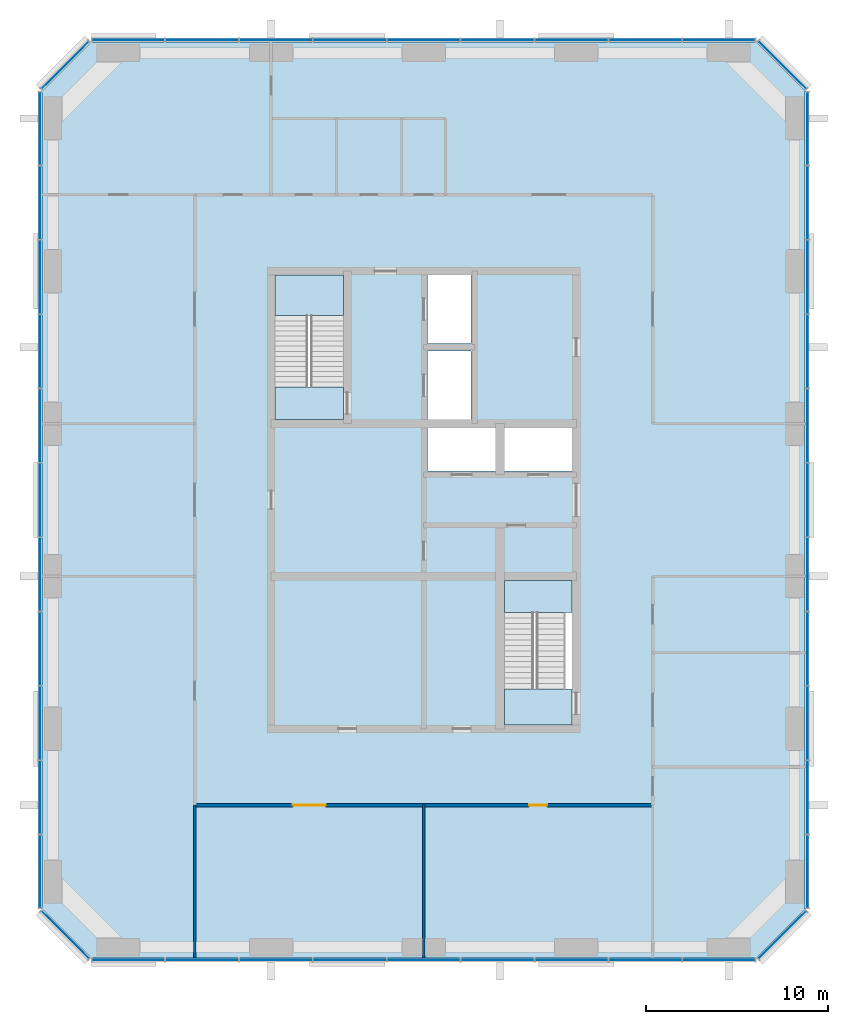
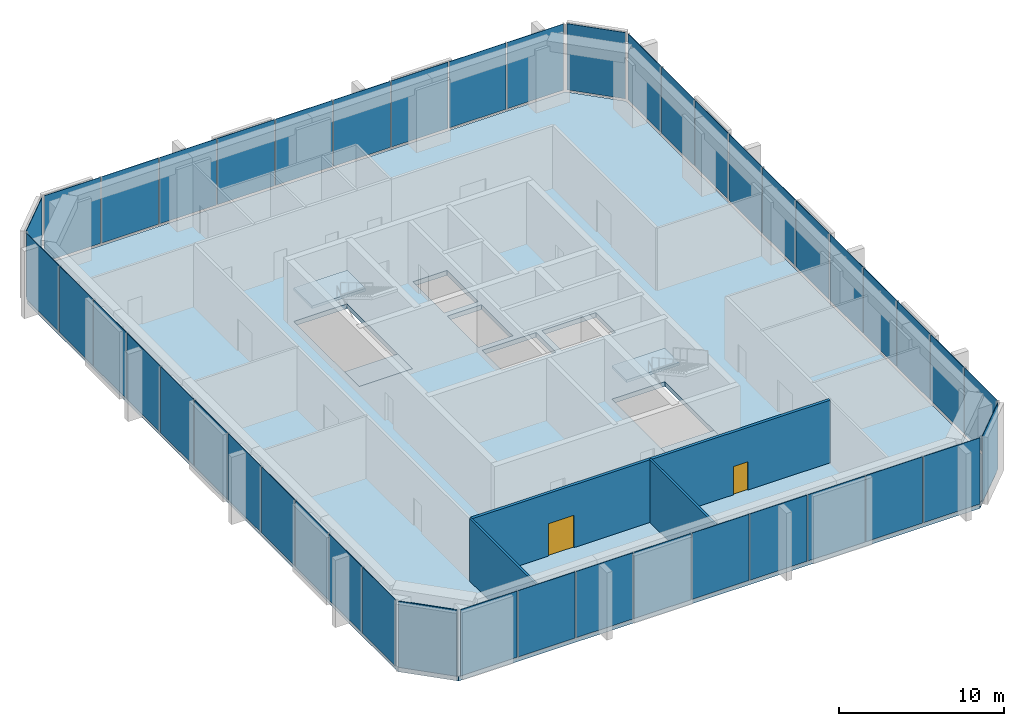
# One storey, part 6 of 9: 44 plates, 5 slabs, 3 walls, 2 doors, 2 openings, 10 elements without a shape of their own.
"""IFC4 building model written with IfcOpenShell, lengths in metres."""

from ifc_helpers import new_model, si_unit, direction, frame, frame_2d, origin, origin_2d, place, context, subcontext, project, spatial, polyline, rectangle, outline, extrude, material, layer, layer_set, type_object, element, fill, aggregate, save


model = new_model("IFC4")

# Units and contexts
model_context = context("Model", 3, precision=1e-05, world=origin(), true_north=direction((0.0, 1.0)))
body_context = subcontext(model_context, "Body", "Model", "MODEL_VIEW")
ifc_project = project(units=[si_unit("LENGTHUNIT", "METRE"), si_unit("AREAUNIT", "SQUARE_METRE"), si_unit("VOLUMEUNIT", "CUBIC_METRE"), si_unit("PLANEANGLEUNIT", "RADIAN"), si_unit("MASSUNIT", "GRAM", prefix="KILO")], contexts=[model_context])

# Site, building, storey
site_placement = place(None, origin())
site = spatial("IfcSite", under=ifc_project, at=site_placement, CompositionType="ELEMENT")
building_placement = place(site_placement, origin())
building = spatial("IfcBuilding", under=site, at=building_placement, Name="Dunama Terrace Hotel", CompositionType="ELEMENT")
storey_placement = place(building_placement, frame((0.0, 0.0, 284.10009765625)))
storey = spatial("IfcBuildingStorey", under=building, at=storey_placement, Name="L73", CompositionType="ELEMENT", Elevation=284.10009765625)

# Curtain wall, plates
ifc_material_1 = material(Name="Aluminium curtain wall system", Category="aluminium")
curtain_wall_type = type_object("IfcCurtainWallType", Name="Unitised fritted glass wall CW-D", PredefinedType="NOTDEFINED", material=ifc_material_1)
curtain_wall_1_placement = place(storey_placement, origin())
curtain_wall_1 = element("IfcCurtainWall", 1, at=curtain_wall_1_placement, inside=storey, type_object=curtain_wall_type, Name="Unitised fritted glass wall CW-D L73", PredefinedType="NOTDEFINED")
ifc_material_2 = material(Name="Laminated glass", Category="glass")
ifc_layer_1 = layer(ifc_material_2, 0.035888671875)
ifc_layer_set_1 = layer_set([ifc_layer_1], Name="CWD clear glass panel")
plate_type_1 = type_object("IfcPlateType", Name="CWD clear glass panel", PredefinedType="CURTAIN_PANEL", material=ifc_layer_set_1)
plate_1_placement = place(storey_placement, frame((21.39990234375, 4.080078125, 0.0849609375), z_axis=(0.0, 0.0, 1.0), x_axis=(1.0, 0.0, 0.0)))
plate_1 = element("IfcPlate", 2, at=plate_1_placement, type_object=plate_type_1, Name="CWD clear glass panel", PredefinedType="CURTAIN_PANEL", context=body_context, shape_type="SweptSolid", body=[
    extrude(rectangle(XDim=3.99658203125, YDim=0.035888671875, at=origin_2d()), origin(), (0.0, 0.0, 1.0), 4.9150390625),
])
plate_2_placement = place(storey_placement, frame((33.60009765625, 4.080078125, 0.0849609375), z_axis=(0.0, 0.0, 1.0), x_axis=(1.0, 0.0, 0.0)))
plate_2 = element("IfcPlate", 3, at=plate_2_placement, type_object=plate_type_1, Name="CWD clear glass panel", PredefinedType="CURTAIN_PANEL", context=body_context, shape_type="SweptSolid", body=[
    extrude(rectangle(XDim=3.99658203125, YDim=0.035888671875, at=origin_2d()), origin(), (0.0, 0.0, 1.0), 4.9150390625),
])
plate_3_placement = place(storey_placement, frame((45.800048828125, 4.080078125, 0.0849609375), z_axis=(0.0, 0.0, 1.0), x_axis=(1.0, 0.0, 0.0)))
plate_3 = element("IfcPlate", 4, at=plate_3_placement, type_object=plate_type_1, Name="CWD clear glass panel", PredefinedType="CURTAIN_PANEL", context=body_context, shape_type="SweptSolid", body=[
    extrude(rectangle(XDim=3.99658203125, YDim=0.035888671875, at=origin_2d()), origin(), (0.0, 0.0, 1.0), 4.9150390625),
])

curtain_wall_2_placement = place(storey_placement, origin())
curtain_wall_2 = element("IfcCurtainWall", 5, at=curtain_wall_2_placement, inside=storey, type_object=curtain_wall_type, Name="Unitised fritted glass wall CW-D L73", PredefinedType="NOTDEFINED")
plate_4_placement = place(storey_placement, frame((54.719970703125, 8.962890625, 0.0849609375), z_axis=(0.0, 0.0, 1.0), x_axis=(0.0, 1.0, 0.0)))
plate_4 = element("IfcPlate", 6, at=plate_4_placement, type_object=plate_type_1, Name="CWD clear glass panel", PredefinedType="CURTAIN_PANEL", context=body_context, shape_type="SweptSolid", body=[
    extrude(rectangle(XDim=3.98583984375, YDim=0.035888671875, at=origin_2d()), origin(), (0.0, 0.0, 1.0), 4.9150390625),
])
plate_5_placement = place(storey_placement, frame((54.719970703125, 21.218017578125, 0.0849609375), z_axis=(0.0, 0.0, 1.0), x_axis=(0.0, 1.0, 0.0)))
plate_5 = element("IfcPlate", 7, at=plate_5_placement, type_object=plate_type_1, Name="CWD clear glass panel", PredefinedType="CURTAIN_PANEL", context=body_context, shape_type="SweptSolid", body=[
    extrude(rectangle(XDim=4.02099609375, YDim=0.035888671875, at=origin_2d()), origin(), (0.0, 0.0, 1.0), 4.9150390625),
])
plate_6_placement = place(storey_placement, frame((54.719970703125, 33.490966796875, 0.0849609375), z_axis=(0.0, 0.0, 1.0), x_axis=(0.0, 1.0, 0.0)))
plate_6 = element("IfcPlate", 8, at=plate_6_placement, type_object=plate_type_1, Name="CWD clear glass panel", PredefinedType="CURTAIN_PANEL", context=body_context, shape_type="SweptSolid", body=[
    extrude(rectangle(XDim=4.02099609375, YDim=0.035888671875, at=origin_2d()), origin(), (0.0, 0.0, 1.0), 4.9150390625),
])
plate_7_placement = place(storey_placement, frame((54.719970703125, 45.763916015625, 0.0849609375), z_axis=(0.0, 0.0, 1.0), x_axis=(0.0, 1.0, 0.0)))
plate_7 = element("IfcPlate", 9, at=plate_7_placement, type_object=plate_type_1, Name="CWD clear glass panel", PredefinedType="CURTAIN_PANEL", context=body_context, shape_type="SweptSolid", body=[
    extrude(rectangle(XDim=4.02099609375, YDim=0.035888671875, at=origin_2d()), origin(), (0.0, 0.0, 1.0), 4.9150390625),
])

curtain_wall_3_placement = place(storey_placement, origin())
curtain_wall_3 = element("IfcCurtainWall", 10, at=curtain_wall_3_placement, inside=storey, type_object=curtain_wall_type, Name="Unitised fritted glass wall CW-D L73", PredefinedType="NOTDEFINED")
plate_8_placement = place(storey_placement, frame((49.84912109375, 54.719970703125, 0.0849609375), z_axis=(0.0, 0.0, 1.0), x_axis=(-1.0, 0.0, 0.0)))
plate_8 = element("IfcPlate", 11, at=plate_8_placement, type_object=plate_type_1, Name="CWD clear glass panel", PredefinedType="CURTAIN_PANEL", context=body_context, shape_type="SweptSolid", body=[
    extrude(rectangle(XDim=3.961669921875, YDim=0.035888671875, at=origin_2d()), origin(), (0.0, 0.0, 1.0), 4.9150390625),
])
plate_9_placement = place(storey_placement, frame((37.6669921875, 54.719970703125, 0.0849609375), z_axis=(0.0, 0.0, 1.0), x_axis=(-1.0, 0.0, 0.0)))
plate_9 = element("IfcPlate", 12, at=plate_9_placement, type_object=plate_type_1, Name="CWD clear glass panel", PredefinedType="CURTAIN_PANEL", context=body_context, shape_type="SweptSolid", body=[
    extrude(rectangle(XDim=3.99658203125, YDim=0.035888671875, at=origin_2d()), origin(), (0.0, 0.0, 1.0), 4.9150390625),
])
plate_10_placement = place(storey_placement, frame((25.467041015625, 54.719970703125, 0.0849609375), z_axis=(0.0, 0.0, 1.0), x_axis=(-1.0, 0.0, 0.0)))
plate_10 = element("IfcPlate", 13, at=plate_10_placement, type_object=plate_type_1, Name="CWD clear glass panel", PredefinedType="CURTAIN_PANEL", context=body_context, shape_type="SweptSolid", body=[
    extrude(rectangle(XDim=3.99658203125, YDim=0.035888671875, at=origin_2d()), origin(), (0.0, 0.0, 1.0), 4.9150390625),
])

# Curtain wall, plate
curtain_wall_4_placement = place(storey_placement, origin())
curtain_wall_4 = element("IfcCurtainWall", 14, at=curtain_wall_4_placement, inside=storey, type_object=curtain_wall_type, Name="Unitised fritted glass wall CW-D L73", PredefinedType="NOTDEFINED")
plate_11_placement = place(storey_placement, frame((13.864990234375, 53.3349609375, 0.0849609375), z_axis=(0.0, 0.0, 1.0), x_axis=(-0.707106781187, -0.707106781187, 0.0)))
plate_11 = element("IfcPlate", 15, at=plate_11_placement, type_object=plate_type_1, Name="CWD clear glass panel", PredefinedType="CURTAIN_PANEL", context=body_context, shape_type="SweptSolid", body=[
    extrude(rectangle(XDim=3.678466796875, YDim=0.035888671875, at=origin_2d()), origin(), (0.0, 0.0, 1.0), 4.9150390625),
])
aggregate(curtain_wall_4, [plate_11])

# Curtain wall, plates
curtain_wall_5_placement = place(storey_placement, origin())
curtain_wall_5 = element("IfcCurtainWall", 16, at=curtain_wall_5_placement, inside=storey, type_object=curtain_wall_type, Name="Unitised fritted glass wall CW-D L73", PredefinedType="NOTDEFINED")
plate_12_placement = place(storey_placement, frame((12.47998046875, 41.673095703125, 0.0849609375), z_axis=(0.0, 0.0, 1.0), x_axis=(0.0, -1.0, 0.0)))
plate_12 = element("IfcPlate", 17, at=plate_12_placement, type_object=plate_type_1, Name="CWD clear glass panel", PredefinedType="CURTAIN_PANEL", context=body_context, shape_type="SweptSolid", body=[
    extrude(rectangle(XDim=4.02099609375, YDim=0.035888671875, at=origin_2d()), origin(), (0.0, 0.0, 1.0), 4.9150390625),
])
plate_13_placement = place(storey_placement, frame((12.47998046875, 29.39990234375, 0.0849609375), z_axis=(0.0, 0.0, 1.0), x_axis=(0.0, -1.0, 0.0)))
plate_13 = element("IfcPlate", 18, at=plate_13_placement, type_object=plate_type_1, Name="CWD clear glass panel", PredefinedType="CURTAIN_PANEL", context=body_context, shape_type="SweptSolid", body=[
    extrude(rectangle(XDim=4.02099609375, YDim=0.035888671875, at=origin_2d()), origin(), (0.0, 0.0, 1.0), 4.9150390625),
])
plate_14_placement = place(storey_placement, frame((12.47998046875, 17.126953125, 0.0849609375), z_axis=(0.0, 0.0, 1.0), x_axis=(0.0, -1.0, 0.0)))
plate_14 = element("IfcPlate", 19, at=plate_14_placement, type_object=plate_type_1, Name="CWD clear glass panel", PredefinedType="CURTAIN_PANEL", context=body_context, shape_type="SweptSolid", body=[
    extrude(rectangle(XDim=4.02099609375, YDim=0.035888671875, at=origin_2d()), origin(), (0.0, 0.0, 1.0), 4.9150390625),
])

# Curtain wall, plate
curtain_wall_6_placement = place(storey_placement, origin())
curtain_wall_6 = element("IfcCurtainWall", 20, at=curtain_wall_6_placement, inside=storey, type_object=curtain_wall_type, Name="Unitised fritted glass wall CW-D L73", PredefinedType="NOTDEFINED")
plate_15_placement = place(storey_placement, frame((13.864990234375, 5.465087890625, 0.0849609375), z_axis=(0.0, 0.0, 1.0), x_axis=(0.707106781187, -0.707106781187, 0.0)))
plate_15 = element("IfcPlate", 21, at=plate_15_placement, type_object=plate_type_1, Name="CWD clear glass panel", PredefinedType="CURTAIN_PANEL", context=body_context, shape_type="SweptSolid", body=[
    extrude(rectangle(XDim=3.678466796875, YDim=0.035888671875, at=origin_2d()), origin(), (0.0, 0.0, 1.0), 4.9150390625),
])
aggregate(curtain_wall_6, [plate_15])

# Plate
ifc_material_3 = material(Name="Fritted laminated glass", Category="glass")
ifc_layer_2 = layer(ifc_material_3, 0.035888671875)
ifc_layer_set_2 = layer_set([ifc_layer_2], Name="CWD fritted glass panel")
plate_type_2 = type_object("IfcPlateType", Name="CWD fritted glass panel", PredefinedType="CURTAIN_PANEL", material=ifc_layer_set_2)
plate_16_placement = place(storey_placement, frame((17.35107421875, 4.080078125, 0.0849609375), z_axis=(0.0, 0.0, 1.0), x_axis=(1.0, 0.0, 0.0)))
plate_16 = element("IfcPlate", 22, at=plate_16_placement, type_object=plate_type_2, Name="CWD fritted glass panel", PredefinedType="CURTAIN_PANEL", context=body_context, shape_type="SweptSolid", body=[
    extrude(rectangle(XDim=3.961669921875, YDim=0.035888671875, at=origin_2d()), origin(), (0.0, 0.0, 1.0), 4.9150390625),
])

plate_17_placement = place(storey_placement, frame((29.532958984375, 4.080078125, 0.0849609375), z_axis=(0.0, 0.0, 1.0), x_axis=(1.0, 0.0, 0.0)))
plate_17 = element("IfcPlate", 23, at=plate_17_placement, type_object=plate_type_2, Name="CWD fritted glass panel", PredefinedType="CURTAIN_PANEL", context=body_context, shape_type="SweptSolid", body=[
    extrude(rectangle(XDim=3.99658203125, YDim=0.035888671875, at=origin_2d()), origin(), (0.0, 0.0, 1.0), 4.9150390625),
])

plate_18_placement = place(storey_placement, frame((41.73291015625, 4.080078125, 0.0849609375), z_axis=(0.0, 0.0, 1.0), x_axis=(1.0, 0.0, 0.0)))
plate_18 = element("IfcPlate", 24, at=plate_18_placement, type_object=plate_type_2, Name="CWD fritted glass panel", PredefinedType="CURTAIN_PANEL", context=body_context, shape_type="SweptSolid", body=[
    extrude(rectangle(XDim=3.99658203125, YDim=0.035888671875, at=origin_2d()), origin(), (0.0, 0.0, 1.0), 4.9150390625),
])

# Curtain wall, plate
curtain_wall_7_placement = place(storey_placement, origin())
curtain_wall_7 = element("IfcCurtainWall", 25, at=curtain_wall_7_placement, inside=storey, type_object=curtain_wall_type, Name="Unitised fritted glass wall CW-D L73", PredefinedType="NOTDEFINED")
plate_19_placement = place(storey_placement, frame((53.3349609375, 5.465087890625, 0.0849609375), z_axis=(0.0, 0.0, 1.0), x_axis=(0.707106781187, 0.707106781187, 0.0)))
plate_19 = element("IfcPlate", 26, at=plate_19_placement, type_object=plate_type_2, Name="CWD fritted glass panel", PredefinedType="CURTAIN_PANEL", context=body_context, shape_type="SweptSolid", body=[
    extrude(rectangle(XDim=3.678466796875, YDim=0.035888671875, at=origin_2d()), origin(), (0.0, 0.0, 1.0), 4.9150390625),
])
aggregate(curtain_wall_7, [plate_19])

# Plate
plate_20_placement = place(storey_placement, frame((54.719970703125, 17.126953125, 0.0849609375), z_axis=(0.0, 0.0, 1.0), x_axis=(0.0, 1.0, 0.0)))
plate_20 = element("IfcPlate", 27, at=plate_20_placement, type_object=plate_type_2, Name="CWD fritted glass panel", PredefinedType="CURTAIN_PANEL", context=body_context, shape_type="SweptSolid", body=[
    extrude(rectangle(XDim=4.02099609375, YDim=0.035888671875, at=origin_2d()), origin(), (0.0, 0.0, 1.0), 4.9150390625),
])

plate_21_placement = place(storey_placement, frame((54.719970703125, 29.39990234375, 0.0849609375), z_axis=(0.0, 0.0, 1.0), x_axis=(0.0, 1.0, 0.0)))
plate_21 = element("IfcPlate", 28, at=plate_21_placement, type_object=plate_type_2, Name="CWD fritted glass panel", PredefinedType="CURTAIN_PANEL", context=body_context, shape_type="SweptSolid", body=[
    extrude(rectangle(XDim=4.02099609375, YDim=0.035888671875, at=origin_2d()), origin(), (0.0, 0.0, 1.0), 4.9150390625),
])

plate_22_placement = place(storey_placement, frame((54.719970703125, 41.673095703125, 0.0849609375), z_axis=(0.0, 0.0, 1.0), x_axis=(0.0, 1.0, 0.0)))
plate_22 = element("IfcPlate", 29, at=plate_22_placement, type_object=plate_type_2, Name="CWD fritted glass panel", PredefinedType="CURTAIN_PANEL", context=body_context, shape_type="SweptSolid", body=[
    extrude(rectangle(XDim=4.02099609375, YDim=0.035888671875, at=origin_2d()), origin(), (0.0, 0.0, 1.0), 4.9150390625),
])

# Curtain wall, plate
curtain_wall_8_placement = place(storey_placement, origin())
curtain_wall_8 = element("IfcCurtainWall", 30, at=curtain_wall_8_placement, inside=storey, type_object=curtain_wall_type, Name="Unitised fritted glass wall CW-D L73", PredefinedType="NOTDEFINED")
plate_23_placement = place(storey_placement, frame((53.3349609375, 53.3349609375, 0.0849609375), z_axis=(0.0, 0.0, 1.0), x_axis=(-0.707106781187, 0.707106781187, 0.0)))
plate_23 = element("IfcPlate", 31, at=plate_23_placement, type_object=plate_type_2, Name="CWD fritted glass panel", PredefinedType="CURTAIN_PANEL", context=body_context, shape_type="SweptSolid", body=[
    extrude(rectangle(XDim=3.678466796875, YDim=0.035888671875, at=origin_2d()), origin(), (0.0, 0.0, 1.0), 4.9150390625),
])
aggregate(curtain_wall_8, [plate_23])

# Plate
plate_24_placement = place(storey_placement, frame((41.73291015625, 54.719970703125, 0.0849609375), z_axis=(0.0, 0.0, 1.0), x_axis=(-1.0, 0.0, 0.0)))
plate_24 = element("IfcPlate", 32, at=plate_24_placement, type_object=plate_type_2, Name="CWD fritted glass panel", PredefinedType="CURTAIN_PANEL", context=body_context, shape_type="SweptSolid", body=[
    extrude(rectangle(XDim=3.99658203125, YDim=0.035888671875, at=origin_2d()), origin(), (0.0, 0.0, 1.0), 4.9150390625),
])

plate_25_placement = place(storey_placement, frame((29.532958984375, 54.719970703125, 0.0849609375), z_axis=(0.0, 0.0, 1.0), x_axis=(-1.0, 0.0, 0.0)))
plate_25 = element("IfcPlate", 33, at=plate_25_placement, type_object=plate_type_2, Name="CWD fritted glass panel", PredefinedType="CURTAIN_PANEL", context=body_context, shape_type="SweptSolid", body=[
    extrude(rectangle(XDim=3.99658203125, YDim=0.035888671875, at=origin_2d()), origin(), (0.0, 0.0, 1.0), 4.9150390625),
])

plate_26_placement = place(storey_placement, frame((17.35107421875, 54.719970703125, 0.0849609375), z_axis=(0.0, 0.0, 1.0), x_axis=(-1.0, 0.0, 0.0)))
plate_26 = element("IfcPlate", 34, at=plate_26_placement, type_object=plate_type_2, Name="CWD fritted glass panel", PredefinedType="CURTAIN_PANEL", context=body_context, shape_type="SweptSolid", body=[
    extrude(rectangle(XDim=3.961669921875, YDim=0.035888671875, at=origin_2d()), origin(), (0.0, 0.0, 1.0), 4.9150390625),
])

plate_27_placement = place(storey_placement, frame((12.47998046875, 45.763916015625, 0.0849609375), z_axis=(0.0, 0.0, 1.0), x_axis=(0.0, -1.0, 0.0)))
plate_27 = element("IfcPlate", 35, at=plate_27_placement, type_object=plate_type_2, Name="CWD fritted glass panel", PredefinedType="CURTAIN_PANEL", context=body_context, shape_type="SweptSolid", body=[
    extrude(rectangle(XDim=4.02099609375, YDim=0.035888671875, at=origin_2d()), origin(), (0.0, 0.0, 1.0), 4.9150390625),
])

plate_28_placement = place(storey_placement, frame((12.47998046875, 33.490966796875, 0.0849609375), z_axis=(0.0, 0.0, 1.0), x_axis=(0.0, -1.0, 0.0)))
plate_28 = element("IfcPlate", 36, at=plate_28_placement, type_object=plate_type_2, Name="CWD fritted glass panel", PredefinedType="CURTAIN_PANEL", context=body_context, shape_type="SweptSolid", body=[
    extrude(rectangle(XDim=4.02099609375, YDim=0.035888671875, at=origin_2d()), origin(), (0.0, 0.0, 1.0), 4.9150390625),
])

plate_29_placement = place(storey_placement, frame((12.47998046875, 21.218017578125, 0.0849609375), z_axis=(0.0, 0.0, 1.0), x_axis=(0.0, -1.0, 0.0)))
plate_29 = element("IfcPlate", 37, at=plate_29_placement, type_object=plate_type_2, Name="CWD fritted glass panel", PredefinedType="CURTAIN_PANEL", context=body_context, shape_type="SweptSolid", body=[
    extrude(rectangle(XDim=4.02099609375, YDim=0.035888671875, at=origin_2d()), origin(), (0.0, 0.0, 1.0), 4.9150390625),
])

plate_30_placement = place(storey_placement, frame((12.47998046875, 8.962890625, 0.0849609375), z_axis=(0.0, 0.0, 1.0), x_axis=(0.0, -1.0, 0.0)))
plate_30 = element("IfcPlate", 38, at=plate_30_placement, type_object=plate_type_2, Name="CWD fritted glass panel", PredefinedType="CURTAIN_PANEL", context=body_context, shape_type="SweptSolid", body=[
    extrude(rectangle(XDim=3.98583984375, YDim=0.035888671875, at=origin_2d()), origin(), (0.0, 0.0, 1.0), 4.9150390625),
])

ifc_material_4 = material(Name="Laminated glass", Category="glass")
ifc_layer_3 = layer(ifc_material_4, 0.035888671875)
ifc_layer_set_3 = layer_set([ifc_layer_3], Name="CWD operable glass panel")
plate_type_3 = type_object("IfcPlateType", Name="CWD operable glass panel", PredefinedType="CURTAIN_PANEL", material=ifc_layer_set_3)
plate_31_placement = place(storey_placement, frame((25.467041015625, 4.080078125, 0.0849609375), z_axis=(0.0, 0.0, 1.0), x_axis=(1.0, 0.0, 0.0)))
plate_31 = element("IfcPlate", 39, at=plate_31_placement, type_object=plate_type_3, Name="CWD operable glass panel", PredefinedType="CURTAIN_PANEL", context=body_context, shape_type="SweptSolid", body=[
    extrude(rectangle(XDim=3.99658203125, YDim=0.035888671875, at=origin_2d()), origin(), (0.0, 0.0, 1.0), 4.9150390625),
])

plate_32_placement = place(storey_placement, frame((37.6669921875, 4.080078125, 0.0849609375), z_axis=(0.0, 0.0, 1.0), x_axis=(1.0, 0.0, 0.0)))
plate_32 = element("IfcPlate", 40, at=plate_32_placement, type_object=plate_type_3, Name="CWD operable glass panel", PredefinedType="CURTAIN_PANEL", context=body_context, shape_type="SweptSolid", body=[
    extrude(rectangle(XDim=3.99658203125, YDim=0.035888671875, at=origin_2d()), origin(), (0.0, 0.0, 1.0), 4.9150390625),
])

plate_33_placement = place(storey_placement, frame((49.84912109375, 4.080078125, 0.0849609375), z_axis=(0.0, 0.0, 1.0), x_axis=(1.0, 0.0, 0.0)))
plate_33 = element("IfcPlate", 41, at=plate_33_placement, type_object=plate_type_3, Name="CWD operable glass panel", PredefinedType="CURTAIN_PANEL", context=body_context, shape_type="SweptSolid", body=[
    extrude(rectangle(XDim=3.961669921875, YDim=0.035888671875, at=origin_2d()), origin(), (0.0, 0.0, 1.0), 4.9150390625),
])

aggregate(curtain_wall_1, [plate_16, plate_1, plate_31, plate_17, plate_2, plate_32, plate_18, plate_3, plate_33])

plate_34_placement = place(storey_placement, frame((54.719970703125, 13.035888671875, 0.0849609375), z_axis=(0.0, 0.0, 1.0), x_axis=(0.0, 1.0, 0.0)))
plate_34 = element("IfcPlate", 42, at=plate_34_placement, type_object=plate_type_3, Name="CWD operable glass panel", PredefinedType="CURTAIN_PANEL", context=body_context, shape_type="SweptSolid", body=[
    extrude(rectangle(XDim=4.02099609375, YDim=0.035888671875, at=origin_2d()), origin(), (0.0, 0.0, 1.0), 4.9150390625),
])

plate_35_placement = place(storey_placement, frame((54.719970703125, 25.30908203125, 0.0849609375), z_axis=(0.0, 0.0, 1.0), x_axis=(0.0, 1.0, 0.0)))
plate_35 = element("IfcPlate", 43, at=plate_35_placement, type_object=plate_type_3, Name="CWD operable glass panel", PredefinedType="CURTAIN_PANEL", context=body_context, shape_type="SweptSolid", body=[
    extrude(rectangle(XDim=4.02099609375, YDim=0.035888671875, at=origin_2d()), origin(), (0.0, 0.0, 1.0), 4.9150390625),
])

plate_36_placement = place(storey_placement, frame((54.719970703125, 37.58203125, 0.0849609375), z_axis=(0.0, 0.0, 1.0), x_axis=(0.0, 1.0, 0.0)))
plate_36 = element("IfcPlate", 44, at=plate_36_placement, type_object=plate_type_3, Name="CWD operable glass panel", PredefinedType="CURTAIN_PANEL", context=body_context, shape_type="SweptSolid", body=[
    extrude(rectangle(XDim=4.02099609375, YDim=0.035888671875, at=origin_2d()), origin(), (0.0, 0.0, 1.0), 4.9150390625),
])

plate_37_placement = place(storey_placement, frame((54.719970703125, 49.8369140625, 0.0849609375), z_axis=(0.0, 0.0, 1.0), x_axis=(0.0, 1.0, 0.0)))
plate_37 = element("IfcPlate", 45, at=plate_37_placement, type_object=plate_type_3, Name="CWD operable glass panel", PredefinedType="CURTAIN_PANEL", context=body_context, shape_type="SweptSolid", body=[
    extrude(rectangle(XDim=3.98583984375, YDim=0.035888671875, at=origin_2d()), origin(), (0.0, 0.0, 1.0), 4.9150390625),
])

aggregate(curtain_wall_2, [plate_4, plate_34, plate_20, plate_5, plate_35, plate_21, plate_6, plate_36, plate_22, plate_7, plate_37])

plate_38_placement = place(storey_placement, frame((45.800048828125, 54.719970703125, 0.0849609375), z_axis=(0.0, 0.0, 1.0), x_axis=(-1.0, 0.0, 0.0)))
plate_38 = element("IfcPlate", 46, at=plate_38_placement, type_object=plate_type_3, Name="CWD operable glass panel", PredefinedType="CURTAIN_PANEL", context=body_context, shape_type="SweptSolid", body=[
    extrude(rectangle(XDim=3.99658203125, YDim=0.035888671875, at=origin_2d()), origin(), (0.0, 0.0, 1.0), 4.9150390625),
])

plate_39_placement = place(storey_placement, frame((33.60009765625, 54.719970703125, 0.0849609375), z_axis=(0.0, 0.0, 1.0), x_axis=(-1.0, 0.0, 0.0)))
plate_39 = element("IfcPlate", 47, at=plate_39_placement, type_object=plate_type_3, Name="CWD operable glass panel", PredefinedType="CURTAIN_PANEL", context=body_context, shape_type="SweptSolid", body=[
    extrude(rectangle(XDim=3.99658203125, YDim=0.035888671875, at=origin_2d()), origin(), (0.0, 0.0, 1.0), 4.9150390625),
])

plate_40_placement = place(storey_placement, frame((21.39990234375, 54.719970703125, 0.0849609375), z_axis=(0.0, 0.0, 1.0), x_axis=(-1.0, 0.0, 0.0)))
plate_40 = element("IfcPlate", 48, at=plate_40_placement, type_object=plate_type_3, Name="CWD operable glass panel", PredefinedType="CURTAIN_PANEL", context=body_context, shape_type="SweptSolid", body=[
    extrude(rectangle(XDim=3.99658203125, YDim=0.035888671875, at=origin_2d()), origin(), (0.0, 0.0, 1.0), 4.9150390625),
])

aggregate(curtain_wall_3, [plate_8, plate_38, plate_24, plate_9, plate_39, plate_25, plate_10, plate_40, plate_26])

plate_41_placement = place(storey_placement, frame((12.47998046875, 49.8369140625, 0.0849609375), z_axis=(0.0, 0.0, 1.0), x_axis=(0.0, -1.0, 0.0)))
plate_41 = element("IfcPlate", 49, at=plate_41_placement, type_object=plate_type_3, Name="CWD operable glass panel", PredefinedType="CURTAIN_PANEL", context=body_context, shape_type="SweptSolid", body=[
    extrude(rectangle(XDim=3.98583984375, YDim=0.035888671875, at=origin_2d()), origin(), (0.0, 0.0, 1.0), 4.9150390625),
])

plate_42_placement = place(storey_placement, frame((12.47998046875, 37.58203125, 0.0849609375), z_axis=(0.0, 0.0, 1.0), x_axis=(0.0, -1.0, 0.0)))
plate_42 = element("IfcPlate", 50, at=plate_42_placement, type_object=plate_type_3, Name="CWD operable glass panel", PredefinedType="CURTAIN_PANEL", context=body_context, shape_type="SweptSolid", body=[
    extrude(rectangle(XDim=4.02099609375, YDim=0.035888671875, at=origin_2d()), origin(), (0.0, 0.0, 1.0), 4.9150390625),
])

plate_43_placement = place(storey_placement, frame((12.47998046875, 25.30908203125, 0.0849609375), z_axis=(0.0, 0.0, 1.0), x_axis=(0.0, -1.0, 0.0)))
plate_43 = element("IfcPlate", 51, at=plate_43_placement, type_object=plate_type_3, Name="CWD operable glass panel", PredefinedType="CURTAIN_PANEL", context=body_context, shape_type="SweptSolid", body=[
    extrude(rectangle(XDim=4.02099609375, YDim=0.035888671875, at=origin_2d()), origin(), (0.0, 0.0, 1.0), 4.9150390625),
])

plate_44_placement = place(storey_placement, frame((12.47998046875, 13.035888671875, 0.0849609375), z_axis=(0.0, 0.0, 1.0), x_axis=(0.0, -1.0, 0.0)))
plate_44 = element("IfcPlate", 52, at=plate_44_placement, type_object=plate_type_3, Name="CWD operable glass panel", PredefinedType="CURTAIN_PANEL", context=body_context, shape_type="SweptSolid", body=[
    extrude(rectangle(XDim=4.02099609375, YDim=0.035888671875, at=origin_2d()), origin(), (0.0, 0.0, 1.0), 4.9150390625),
])

aggregate(curtain_wall_5, [plate_41, plate_27, plate_12, plate_42, plate_28, plate_13, plate_43, plate_29, plate_14, plate_44, plate_30])

# Slab
ifc_material_5 = material(Name="Concrete C40/50", Category="concrete")
ifc_layer_4 = layer(ifc_material_5, 0.35009765625)
ifc_layer_set_4 = layer_set([ifc_layer_4], Name="Flat plate 350")
slab_type_1 = type_object("IfcSlabType", Name="Flat plate 350", PredefinedType="FLOOR", material=ifc_layer_set_4)
slab_1_placement = place(storey_placement, frame((0.0, 0.0, -0.35009765625)))
element("IfcSlab", 53, at=slab_1_placement, inside=storey, type_object=slab_type_1, Name="Floor slab L73", PredefinedType="FLOOR", context=body_context, shape_type="SweptSolid", body=[
    extrude(outline(polyline([(15.300048828125, 4.199951171875), (51.89990234375, 4.199951171875), (54.60009765625, 6.89990234375), (54.60009765625, 51.89990234375), (51.89990234375, 54.60009765625), (15.300048828125, 54.60009765625), (12.60009765625, 51.89990234375), (12.60009765625, 6.89990234375), (15.300048828125, 4.199951171875)]), holes=[polyline([(37.60009765625, 31.0), (37.60009765625, 33.39990234375), (33.800048828125, 33.39990234375), (33.800048828125, 31.0), (37.60009765625, 31.0)]), polyline([(41.800048828125, 31.0), (41.800048828125, 33.39990234375), (38.0, 33.39990234375), (38.0, 31.0), (41.800048828125, 31.0)]), polyline([(36.199951171875, 38.0), (36.199951171875, 41.800048828125), (33.800048828125, 41.800048828125), (33.800048828125, 38.0), (36.199951171875, 38.0)]), polyline([(36.199951171875, 33.800048828125), (36.199951171875, 37.60009765625), (33.800048828125, 37.60009765625), (33.800048828125, 33.800048828125), (36.199951171875, 33.800048828125)]), polyline([(29.175048828125, 33.824951171875), (29.175048828125, 41.77490234375), (25.425048828125, 41.77490234375), (25.425048828125, 33.824951171875), (29.175048828125, 33.824951171875)]), polyline([(41.77490234375, 17.02490234375), (41.77490234375, 24.97509765625), (38.050048828125, 24.97509765625), (38.050048828125, 17.02490234375), (41.77490234375, 17.02490234375)])]), origin(), (0.0, 0.0, 1.0), 0.35009765625),
])

# Stair, slabs
ifc_material_6 = material(Name="Concrete C40/50", Category="concrete")
stair_type_1 = type_object("IfcStairType", Name="Stair ST1-5000-1800", PredefinedType="HALF_TURN_STAIR", material=ifc_material_6)
stair_1_placement = place(storey_placement, origin())
stair_1 = element("IfcStair", 54, at=stair_1_placement, inside=storey, type_object=stair_type_1, Name="Stair ST1 L73", PredefinedType="HALF_TURN_STAIR")
ifc_material_7 = material(Name="Concrete C40/50", Category="concrete")
ifc_layer_5 = layer(ifc_material_7, 0.199951171875)
ifc_layer_set_5 = layer_set([ifc_layer_5], Name="Stair landing 200")
slab_type_2 = type_object("IfcSlabType", Name="Stair landing 200", PredefinedType="LANDING", material=ifc_layer_set_5)
slab_2_placement = place(storey_placement, frame((0.0, 0.0, -0.2001953125)))
slab_2 = element("IfcSlab", 55, at=slab_2_placement, type_object=slab_type_2, Name="ST1 landing 1, type S10", PredefinedType="LANDING", context=body_context, shape_type="SweptSolid", body=[
    extrude(outline(polyline([(25.425048828125, 33.824951171875), (29.175048828125, 33.824951171875), (29.175048828125, 35.625), (25.425048828125, 35.625), (25.425048828125, 33.824951171875)])), origin(), (0.0, 0.0, 1.0), 0.2001953125),
])
slab_3_placement = place(storey_placement, frame((0.0, 0.0, 2.2998046875)))
slab_3 = element("IfcSlab", 56, at=slab_3_placement, type_object=slab_type_2, Name="ST1 landing 2, type S10", PredefinedType="LANDING", context=body_context, shape_type="SweptSolid", body=[
    extrude(outline(polyline([(25.425048828125, 39.544921875), (29.175048828125, 39.544921875), (29.175048828125, 41.77490234375), (25.425048828125, 41.77490234375), (25.425048828125, 39.544921875)])), origin(), (0.0, 0.0, 1.0), 0.2001953125),
])
aggregate(stair_1, [slab_2, slab_3])

ifc_material_8 = material(Name="Concrete C40/50", Category="concrete")
stair_type_2 = type_object("IfcStairType", Name="Stair ST2-5000-1600", PredefinedType="HALF_TURN_STAIR", material=ifc_material_8)
stair_2_placement = place(storey_placement, origin())
stair_2 = element("IfcStair", 57, at=stair_2_placement, inside=storey, type_object=stair_type_2, Name="Stair ST2 L73", PredefinedType="HALF_TURN_STAIR")
slab_4_placement = place(storey_placement, frame((0.0, 0.0, -0.2001953125)))
slab_4 = element("IfcSlab", 58, at=slab_4_placement, type_object=slab_type_2, Name="ST2 landing 1, type S10", PredefinedType="LANDING", context=body_context, shape_type="SweptSolid", body=[
    extrude(outline(polyline([(38.050048828125, 17.02490234375), (41.77490234375, 17.02490234375), (41.77490234375, 19.0), (38.050048828125, 19.0), (38.050048828125, 17.02490234375)])), origin(), (0.0, 0.0, 1.0), 0.2001953125),
])
slab_5_placement = place(storey_placement, frame((0.0, 0.0, 2.2998046875)))
slab_5 = element("IfcSlab", 59, at=slab_5_placement, type_object=slab_type_2, Name="ST2 landing 2, type S10", PredefinedType="LANDING", context=body_context, shape_type="SweptSolid", body=[
    extrude(outline(polyline([(38.050048828125, 23.199951171875), (41.77490234375, 23.199951171875), (41.77490234375, 24.97509765625), (38.050048828125, 24.97509765625), (38.050048828125, 23.199951171875)])), origin(), (0.0, 0.0, 1.0), 0.2001953125),
])
aggregate(stair_2, [slab_4, slab_5])

# Wall, openings, doors
ifc_material_9 = material(Name="Concrete blockwork", Category="masonry")
ifc_layer_6 = layer(ifc_material_9, 0.199951171875)
ifc_layer_set_6 = layer_set([ifc_layer_6], Name="Corridor partition 200")
wall_type_1 = type_object("IfcWallType", Name="Corridor partition 200", PredefinedType="PARTITIONING", material=ifc_layer_set_6)
wall_placement = place(storey_placement, frame((21.0, 12.60009765625, 0.0), z_axis=(0.0, 0.0, 1.0), x_axis=(1.0, 0.0, 0.0)))
wall = element("IfcWall", 60, at=wall_placement, inside=storey, type_object=wall_type_1, Name="Corridor partition 200 L73", PredefinedType="PARTITIONING", context=body_context, shape_type="SweptSolid", body=[
    extrude(rectangle(XDim=25.199951171875, YDim=0.199951171875, at=frame_2d((12.60009765625, 0.0))), origin(), (0.0, 0.0, 1.0), 4.64990234375),
])
opening_1_placement = place(wall_placement, frame((5.39990234375, 0.0, 0.0)))
opening_1 = element("IfcOpeningElement", 61, at=opening_1_placement, cuts=wall, Name="Opening L73-026", PredefinedType="OPENING", context=body_context, shape_type="SweptSolid", body=[
    extrude(rectangle(XDim=1.800048828125, YDim=2.39990234375, at=frame_2d((0.89990234375, 1.199951171875))), frame((0.0, 0.10986328125, 0.0), z_axis=(0.0, -1.0, 0.0), x_axis=(1.0, 0.0, 0.0)), (0.0, 0.0, 1.0), 0.219970703125),
])
opening_2_placement = place(wall_placement, frame((18.39990234375, 0.0, 0.0)))
opening_2 = element("IfcOpeningElement", 62, at=opening_2_placement, cuts=wall, Name="Opening L73-027", PredefinedType="OPENING", context=body_context, shape_type="SweptSolid", body=[
    extrude(rectangle(XDim=1.0, YDim=2.10009765625, at=frame_2d((0.5, 1.050048828125))), frame((0.0, 0.10986328125, 0.0), z_axis=(0.0, -1.0, 0.0), x_axis=(1.0, 0.0, 0.0)), (0.0, 0.0, 1.0), 0.219970703125),
])
ifc_material_10 = material(Name="Aluminium-framed glazed door", Category="aluminium")
door_type_1 = type_object("IfcDoorType", Name="Glazed double door 1800", OperationType="DOUBLE_DOOR_DOUBLE_SWING", PredefinedType="DOOR", material=ifc_material_10)
door_1_placement = place(opening_1_placement, origin())
door_1 = element("IfcDoor", 63, at=door_1_placement, inside=storey, type_object=door_type_1, Name="Door to club reading room L73-026, type D8", OperationType="DOUBLE_DOOR_DOUBLE_SWING", OverallHeight=2.39990234375, OverallWidth=1.800048828125, PredefinedType="DOOR", context=body_context, shape_type="SweptSolid", body=[
    extrude(rectangle(XDim=1.800048828125, YDim=2.39990234375, at=frame_2d((0.89990234375, 1.199951171875))), frame((0.0, 0.02490234375, 0.0), z_axis=(0.0, -1.0, 0.0), x_axis=(1.0, 0.0, 0.0)), (0.0, 0.0, 1.0), 0.050048828125),
])
fill(opening_1, door_1)
ifc_material_11 = material(Name="Timber door with steel frame", Category="steel")
door_type_2 = type_object("IfcDoorType", Name="Service door 1000", OperationType="SINGLE_SWING_LEFT", PredefinedType="DOOR", material=ifc_material_11)
door_2_placement = place(opening_2_placement, frame((1.0, 0.0, 0.0), z_axis=(0.0, 0.0, 1.0), x_axis=(-1.0, 0.0, 0.0)))
door_2 = element("IfcDoor", 64, at=door_2_placement, inside=storey, type_object=door_type_2, Name="Door to club secretariat office L73-027, type D7", OperationType="SINGLE_SWING_RIGHT", OverallHeight=2.10009765625, OverallWidth=1.0, PredefinedType="DOOR", context=body_context, shape_type="SweptSolid", body=[
    extrude(rectangle(XDim=1.0, YDim=2.10009765625, at=frame_2d((0.5, 1.050048828125))), frame((0.0, 0.025146484375, 0.0), z_axis=(0.0, -1.0, 0.0), x_axis=(1.0, 0.0, 0.0)), (0.0, 0.0, 1.0), 0.050048828125),
])
fill(opening_2, door_2)

# Walls
ifc_material_12 = material(Name="Gypsum board partition", Category="masonry")
ifc_layer_7 = layer(ifc_material_12, 0.14990234375)
ifc_layer_set_7 = layer_set([ifc_layer_7], Name="Room partition 150")
wall_type_2 = type_object("IfcWallType", Name="Room partition 150", PredefinedType="PARTITIONING", material=ifc_layer_set_7)
for number, where, z_axis, x_axis, name in (
    (65, (21.0, 4.181884765625, 0.0), (0.0, 0.0, 1.0), (0.0, 1.0, 0.0), "Room partition 150 L73"),
    (66, (33.60009765625, 4.181884765625, 0.0), (0.0, 0.0, 1.0), (0.0, 1.0, 0.0), "Room partition 150 L73"),
):
    element("IfcWall", number, at=place(storey_placement, frame(where, z_axis=z_axis, x_axis=x_axis)), inside=storey, type_object=wall_type_2, Name=name, PredefinedType="PARTITIONING", context=body_context, shape_type="SweptSolid", body=[
        extrude(rectangle(XDim=8.418212890625, YDim=0.14990234375, at=frame_2d((4.208984375, 0.0))), origin(), (0.0, 0.0, 1.0), 4.64990234375),
    ])

save(model, "model.ifc")
